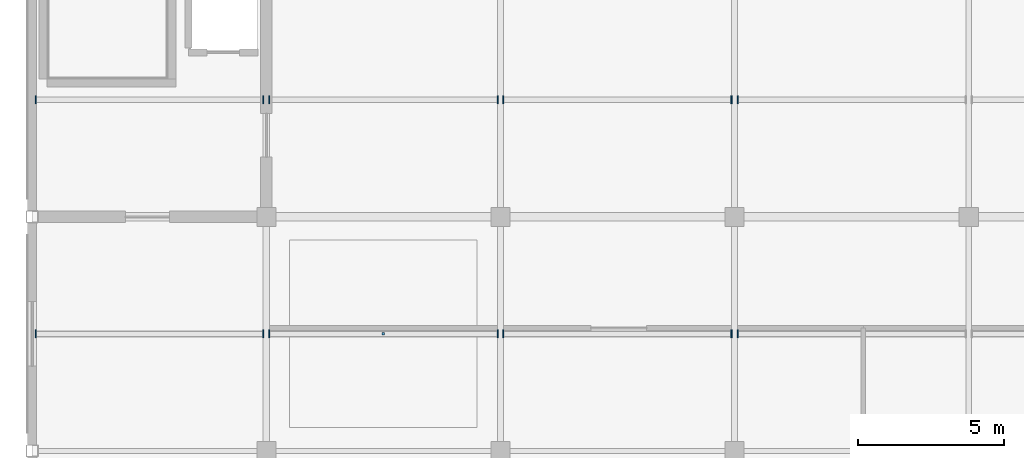
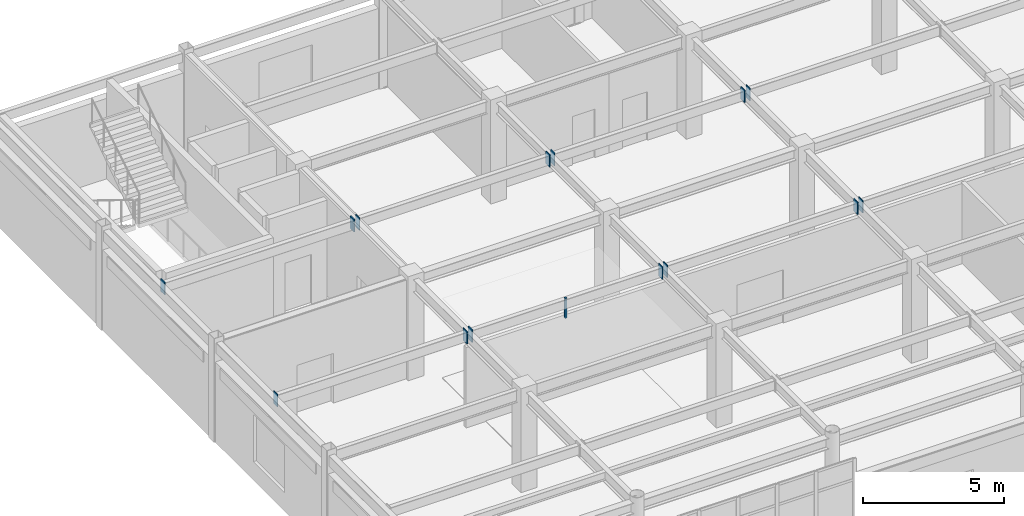
# One storey, part 73 of 93: 15 discrete accessories.
"""IFC4 building model written with IfcOpenShell, lengths in metres."""

from ifc_helpers import new_model, si_unit, direction, frame, origin, origin_2d, place, context, subcontext, project, spatial, rectangle, extrude, material, layer, layer_set, type_object, element, save


model = new_model("IFC4")

# Units and contexts
model_context = context("Model", 3, precision=1e-05, world=origin(), true_north=direction((0.0, 1.0)))
body_context = subcontext(model_context, "Body", "Model", "MODEL_VIEW")
ifc_project = project(units=[si_unit("LENGTHUNIT", "METRE"), si_unit("AREAUNIT", "SQUARE_METRE"), si_unit("VOLUMEUNIT", "CUBIC_METRE"), si_unit("PLANEANGLEUNIT", "RADIAN"), si_unit("MASSUNIT", "GRAM", prefix="KILO")], contexts=[model_context])

# Site, building, storey
site_placement = place(None, origin())
site = spatial("IfcSite", under=ifc_project, at=site_placement, CompositionType="ELEMENT")
building_placement = place(site_placement, origin())
building = spatial("IfcBuilding", under=site, at=building_placement, Name="Solmirada Galleria", CompositionType="ELEMENT")
storey_placement = place(building_placement, frame((0.0, 0.0, 14.89990234375)))
storey = spatial("IfcBuildingStorey", under=building, at=storey_placement, Name="L03", CompositionType="ELEMENT", Elevation=14.89990234375)

# Discrete accessories
ifc_material_1 = material(Name="Steel S355 / ASTM A992 Grade 50", Category="steel")
discrete_accessory_type_1 = type_object("IfcDiscreteAccessoryType", Name="ACC-CEIL-HANGER", PredefinedType="BRACKET", material=ifc_material_1)
discrete_accessory_placement = place(storey_placement, frame((52.0, 100.0, 3.449951171875), z_axis=(0.0, 0.0, 1.0), x_axis=(1.0, 0.0, 0.0)))
element("IfcDiscreteAccessory", 1, at=discrete_accessory_placement, inside=storey, type_object=discrete_accessory_type_1, Name="Ceiling suspension hanger L03-1", PredefinedType="BRACKET", context=body_context, shape_type="SweptSolid", body=[
    extrude(rectangle(XDim=0.080078125, YDim=0.080078125, at=origin_2d()), origin(), (0.0, 0.0, 1.0), 0.8701171875),
])
ifc_material_2 = material(Name="Steel S355 / ASTM A572 Grade 50", Category="steel")
ifc_layer = layer(ifc_material_2, 0.031982421875)
ifc_layer_set = layer_set([ifc_layer], Name="Steel S355 / ASTM A572 Grade 50")
discrete_accessory_type_2 = type_object("IfcDiscreteAccessoryType", Name="ACC-COL-CAP", PredefinedType="BRACKET", material=ifc_layer_set)
for number, where, z_axis, x_axis, name in (
    (2, (40.126953125, 100.0, 3.8271484375), (0.0, 0.0, 1.0), (1.0, 0.0, 0.0), "Hollow joist end plate L04-06-13-L"),
    (3, (47.89501953125, 100.0, 3.8271484375), (0.0, 0.0, 1.0), (1.0, 0.0, 0.0), "Hollow joist end plate L04-06-13-R"),
    (4, (40.126953125, 108.0, 3.8271484375), (0.0, 0.0, 1.0), (1.0, 0.0, 0.0), "Hollow joist end plate L04-06-14-L"),
    (5, (47.89501953125, 108.0, 3.8271484375), (0.0, 0.0, 1.0), (1.0, 0.0, 0.0), "Hollow joist end plate L04-06-14-R"),
    (6, (48.10498046875, 100.0, 3.8271484375), (0.0, 0.0, 1.0), (1.0, 0.0, 0.0), "Hollow joist end plate L04-07-13-L"),
    (7, (55.903076171875, 100.0, 3.8271484375), (0.0, 0.0, 1.0), (1.0, 0.0, 0.0), "Hollow joist end plate L04-07-13-R"),
    (8, (48.10498046875, 108.0, 3.8271484375), (0.0, 0.0, 1.0), (1.0, 0.0, 0.0), "Hollow joist end plate L04-07-14-L"),
    (9, (55.903076171875, 108.0, 3.8271484375), (0.0, 0.0, 1.0), (1.0, 0.0, 0.0), "Hollow joist end plate L04-07-14-R"),
    (10, (56.096923828125, 100.0, 3.8271484375), (0.0, 0.0, 1.0), (1.0, 0.0, 0.0), "Hollow joist end plate L04-08-13-L"),
    (11, (63.89501953125, 100.0, 3.8271484375), (0.0, 0.0, 1.0), (1.0, 0.0, 0.0), "Hollow joist end plate L04-08-13-R"),
    (12, (56.096923828125, 108.0, 3.8271484375), (0.0, 0.0, 1.0), (1.0, 0.0, 0.0), "Hollow joist end plate L04-08-14-L"),
    (13, (63.89501953125, 108.0, 3.8271484375), (0.0, 0.0, 1.0), (1.0, 0.0, 0.0), "Hollow joist end plate L04-08-14-R"),
    (14, (64.10498046875, 100.0, 3.8271484375), (0.0, 0.0, 1.0), (1.0, 0.0, 0.0), "Hollow joist end plate L04-09-13-L"),
    (15, (64.10498046875, 108.0, 3.8271484375), (0.0, 0.0, 1.0), (1.0, 0.0, 0.0), "Hollow joist end plate L04-09-14-L"),
):
    element("IfcDiscreteAccessory", number, at=place(storey_placement, frame(where, z_axis=z_axis, x_axis=x_axis)), inside=storey, type_object=discrete_accessory_type_2, Name=name, PredefinedType="BRACKET", context=body_context, shape_type="SweptSolid", body=[
        extrude(rectangle(XDim=0.035888671875, YDim=0.280029296875, at=origin_2d()), origin(), (0.0, 0.0, 1.0), 0.5400390625),
    ])

save(model, "model.ifc")
